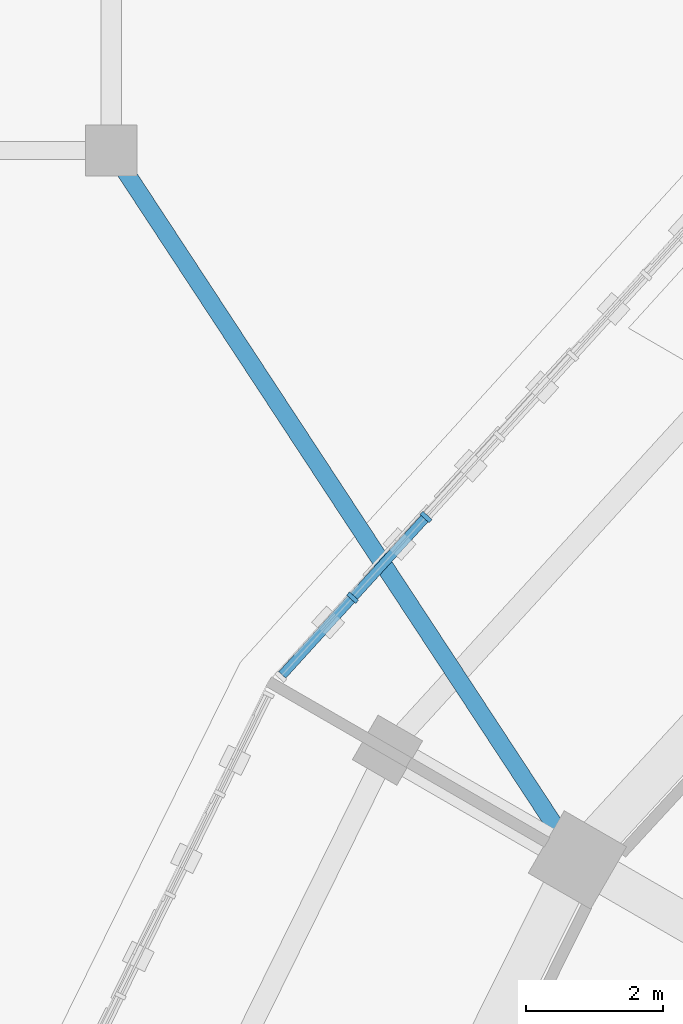
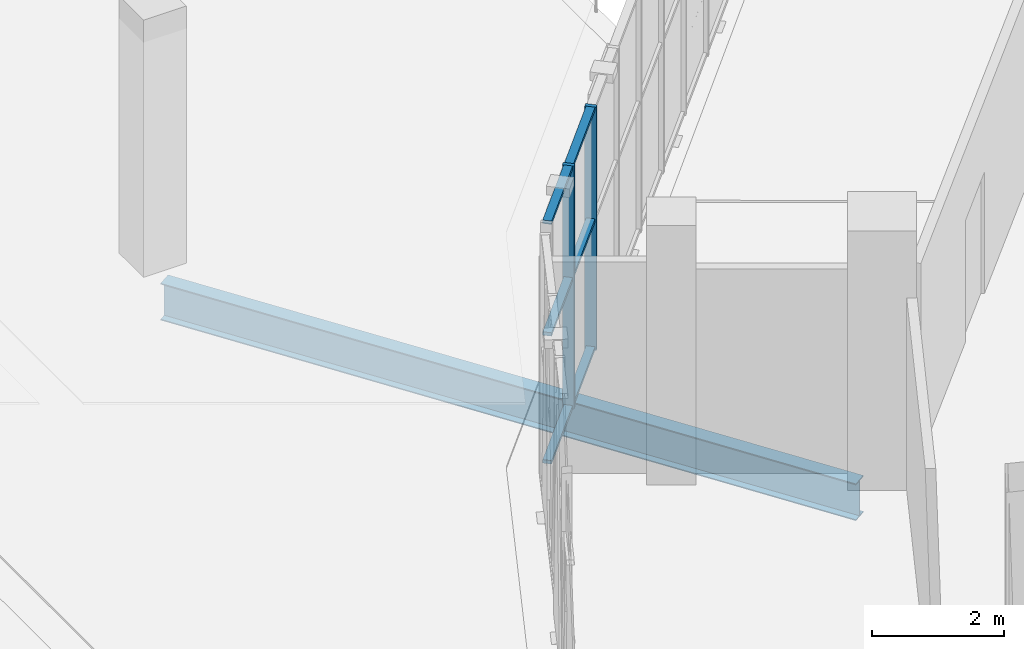
# One storey, part 46 of 179: 8 members, 1 beam, 1 element without a shape of its own.
"""IFC4 building model written with IfcOpenShell, lengths in metres."""

from ifc_helpers import new_model, si_unit, direction, frame, origin, origin_2d, place, context, subcontext, project, spatial, rectangle, i_section, extrude, material, material_profile, profile_set, type_object, element, aggregate, save


model = new_model("IFC4")

# Units and contexts
model_context = context("Model", 3, precision=1e-05, world=origin(), true_north=direction((0.0, 1.0)))
body_context = subcontext(model_context, "Body", "Model", "MODEL_VIEW")
ifc_project = project(units=[si_unit("LENGTHUNIT", "METRE"), si_unit("AREAUNIT", "SQUARE_METRE"), si_unit("VOLUMEUNIT", "CUBIC_METRE"), si_unit("PLANEANGLEUNIT", "RADIAN"), si_unit("MASSUNIT", "GRAM", prefix="KILO")], contexts=[model_context])

# Site, building, storey
site_placement = place(None, origin())
site = spatial("IfcSite", under=ifc_project, at=site_placement, CompositionType="ELEMENT")
building_placement = place(site_placement, origin())
building = spatial("IfcBuilding", under=site, at=building_placement, Name="Zevraka Park Crest Stadium", CompositionType="ELEMENT")
storey_placement = place(building_placement, frame((0.0, 0.0, 10.199951171875)))
storey = spatial("IfcBuildingStorey", under=building, at=storey_placement, Name="L02", CompositionType="ELEMENT", Elevation=10.199951171875)

# Beam
ifc_material_1 = material(Name="Steel S355", Category="steel")
ifc_material_profile_1 = material_profile(ifc_material_1, i_section(OverallWidth=0.253662109375, OverallDepth=0.68359375, WebThickness=0.012451171875, FlangeThickness=0.01904296875, at=origin_2d()), Name="UKB 686x254x140")
ifc_profile_set_1 = profile_set([ifc_material_profile_1], Name="Steel S355")
beam_type = type_object("IfcBeamType", Name="BG05", PredefinedType="BEAM", material=ifc_profile_set_1)
beam_placement = place(storey_placement, frame((27.110107421875, 139.8330078125, -0.629638671875), z_axis=(0.548958685994, -0.835849484699, 0.0), x_axis=(0.835849484699, 0.548958685994, 0.0)))
element("IfcBeam", 1, at=beam_placement, inside=storey, type_object=beam_type, Name="Wing Link Girder BG05 L02-4/R", PredefinedType="BEAM", context=body_context, shape_type="SweptSolid", body=[
    extrude(i_section(OverallWidth=0.253662109375, OverallDepth=0.68359375, WebThickness=0.012451171875, FlangeThickness=0.01904296875, at=origin_2d()), origin(), (0.0, 0.0, 1.0), 11.80224609375),
])

# Curtain wall, members
ifc_material_2 = material(Name="Anodised architectural aluminium and laminated safety glass", Category="aluminium")
curtain_wall_type = type_object("IfcCurtainWallType", Name="CW08", PredefinedType="NOTDEFINED", material=ifc_material_2)
curtain_wall_placement = place(storey_placement, origin())
curtain_wall = element("IfcCurtainWall", 2, at=curtain_wall_placement, inside=storey, type_object=curtain_wall_type, Name="Unitised Ring Curtain Wall CW08 L02-09", PredefinedType="NOTDEFINED")
ifc_material_3 = material(Name="Anodised architectural aluminium", Category="aluminium")
ifc_material_profile_2 = material_profile(ifc_material_3, rectangle(XDim=0.179931640625, YDim=0.06494140625, at=origin_2d()), Name="ALU MULLION 180x65")
ifc_profile_set_2 = profile_set([ifc_material_profile_2], Name="Anodised architectural aluminium")
member_type_1 = type_object("IfcMemberType", Name="CM02", PredefinedType="MULLION", material=ifc_profile_set_2)
member_1_placement = place(storey_placement, frame((31.589111328125, 134.652099609375, 0.0), z_axis=(0.0, 0.0, 1.0), x_axis=(0.739496877097, -0.673159987494, 0.0)))
member_1 = element("IfcMember", 3, at=member_1_placement, type_object=member_type_1, Name="CW08 mullion 13", PredefinedType="MULLION", context=body_context, shape_type="SweptSolid", body=[
    extrude(rectangle(XDim=0.179931640625, YDim=0.06494140625, at=origin_2d()), origin(), (0.0, 0.0, 1.0), 4.5),
])
member_2_placement = place(storey_placement, frame((30.5185546875, 133.47607421875, 0.0), z_axis=(0.0, 0.0, 1.0), x_axis=(0.739496877097, -0.673159987494, 0.0)))
member_2 = element("IfcMember", 4, at=member_2_placement, type_object=member_type_1, Name="CW08 mullion 14", PredefinedType="MULLION", context=body_context, shape_type="SweptSolid", body=[
    extrude(rectangle(XDim=0.179931640625, YDim=0.06494140625, at=origin_2d()), origin(), (0.0, 0.0, 1.0), 4.5),
])
ifc_material_4 = material(Name="Anodised architectural aluminium", Category="aluminium")
ifc_material_profile_3 = material_profile(ifc_material_4, rectangle(XDim=0.139892578125, YDim=0.06494140625, at=origin_2d()), Name="ALU TRANSOM 140x65")
ifc_profile_set_3 = profile_set([ifc_material_profile_3], Name="Anodised architectural aluminium")
member_type_2 = type_object("IfcMemberType", Name="CT02", PredefinedType="USERDEFINED", material=ifc_profile_set_3)
member_3_placement = place(storey_placement, frame((31.5673828125, 134.628173828125, 0.032470703125), z_axis=(-0.673118749814, -0.739534413431, 0.0), x_axis=(0.739534413431, -0.673118749814, 0.0)))
member_3 = element("IfcMember", 5, at=member_3_placement, type_object=member_type_2, Name="CW08 transom 13.1", ObjectType="TRANSOM", PredefinedType="USERDEFINED", context=body_context, shape_type="SweptSolid", body=[
    extrude(rectangle(XDim=0.139892578125, YDim=0.06494140625, at=origin_2d()), origin(), (0.0, 0.0, 1.0), 1.525634765625),
])
member_4_placement = place(storey_placement, frame((31.5673828125, 134.628173828125, 2.400146484375), z_axis=(-0.673118749814, -0.739534413431, 0.0), x_axis=(0.739534413431, -0.673118749814, 0.0)))
member_4 = element("IfcMember", 6, at=member_4_placement, type_object=member_type_2, Name="CW08 transom 13.2", ObjectType="TRANSOM", PredefinedType="USERDEFINED", context=body_context, shape_type="SweptSolid", body=[
    extrude(rectangle(XDim=0.139892578125, YDim=0.06494140625, at=origin_2d()), origin(), (0.0, 0.0, 1.0), 1.525634765625),
])
member_5_placement = place(storey_placement, frame((31.5673828125, 134.628173828125, 4.467529296875), z_axis=(-0.673118749814, -0.739534413431, 0.0), x_axis=(0.739534413431, -0.673118749814, 0.0)))
member_5 = element("IfcMember", 7, at=member_5_placement, type_object=member_type_2, Name="CW08 transom 13.3", ObjectType="TRANSOM", PredefinedType="USERDEFINED", context=body_context, shape_type="SweptSolid", body=[
    extrude(rectangle(XDim=0.139892578125, YDim=0.06494140625, at=origin_2d()), origin(), (0.0, 0.0, 1.0), 1.525634765625),
])
member_6_placement = place(storey_placement, frame((30.49658203125, 133.4521484375, 0.032470703125), z_axis=(-0.673128504906, -0.739525534301, 0.0), x_axis=(0.739525534301, -0.673128504906, 0.0)))
member_6 = element("IfcMember", 8, at=member_6_placement, type_object=member_type_2, Name="CW08 transom 14.1", ObjectType="TRANSOM", PredefinedType="USERDEFINED", context=body_context, shape_type="SweptSolid", body=[
    extrude(rectangle(XDim=0.139892578125, YDim=0.06494140625, at=origin_2d()), origin(), (0.0, 0.0, 1.0), 1.492919921875),
])
member_7_placement = place(storey_placement, frame((30.49658203125, 133.4521484375, 2.400146484375), z_axis=(-0.673128504906, -0.739525534301, 0.0), x_axis=(0.739525534301, -0.673128504906, 0.0)))
member_7 = element("IfcMember", 9, at=member_7_placement, type_object=member_type_2, Name="CW08 transom 14.2", ObjectType="TRANSOM", PredefinedType="USERDEFINED", context=body_context, shape_type="SweptSolid", body=[
    extrude(rectangle(XDim=0.139892578125, YDim=0.06494140625, at=origin_2d()), origin(), (0.0, 0.0, 1.0), 1.492919921875),
])
member_8_placement = place(storey_placement, frame((30.49658203125, 133.4521484375, 4.467529296875), z_axis=(-0.673128504906, -0.739525534301, 0.0), x_axis=(0.739525534301, -0.673128504906, 0.0)))
member_8 = element("IfcMember", 10, at=member_8_placement, type_object=member_type_2, Name="CW08 transom 14.3", ObjectType="TRANSOM", PredefinedType="USERDEFINED", context=body_context, shape_type="SweptSolid", body=[
    extrude(rectangle(XDim=0.139892578125, YDim=0.06494140625, at=origin_2d()), origin(), (0.0, 0.0, 1.0), 1.492919921875),
])
aggregate(curtain_wall, [member_1, member_2, member_3, member_4, member_5, member_6, member_7, member_8])

save(model, "model.ifc")
